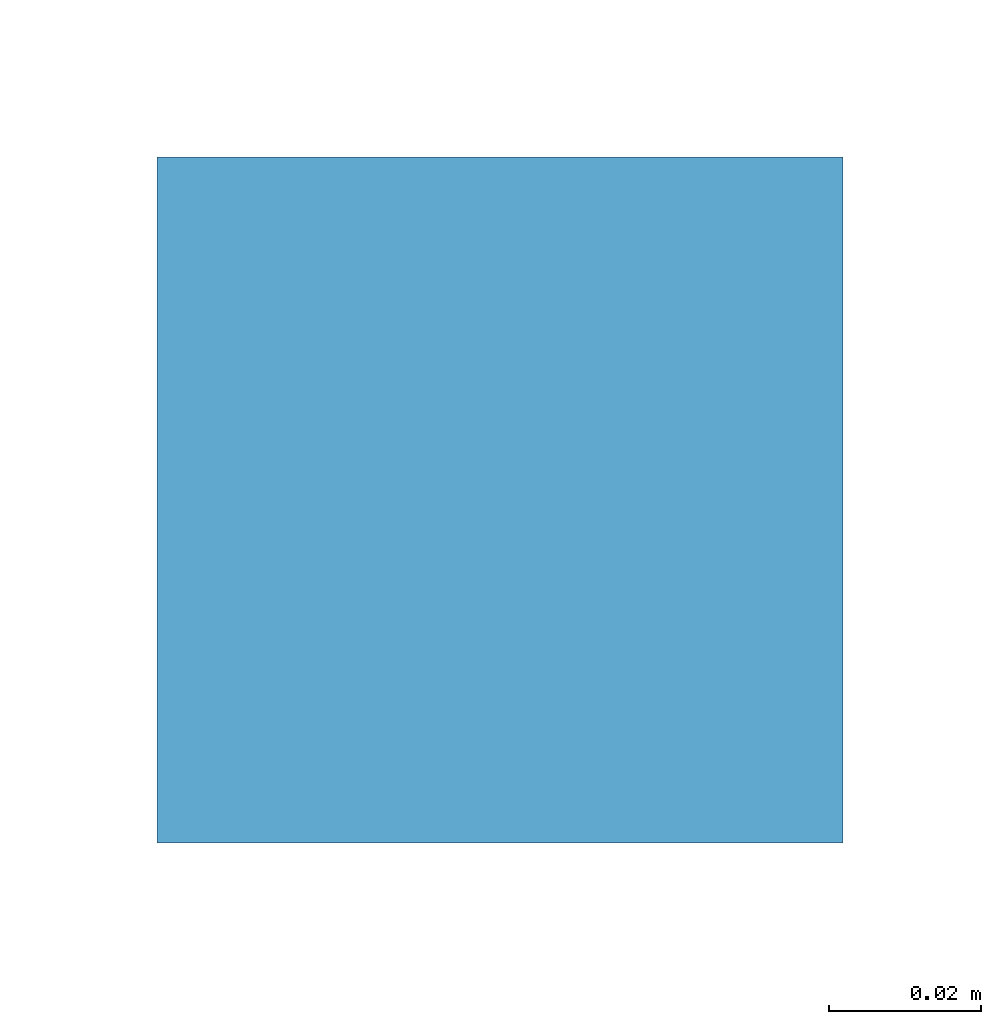
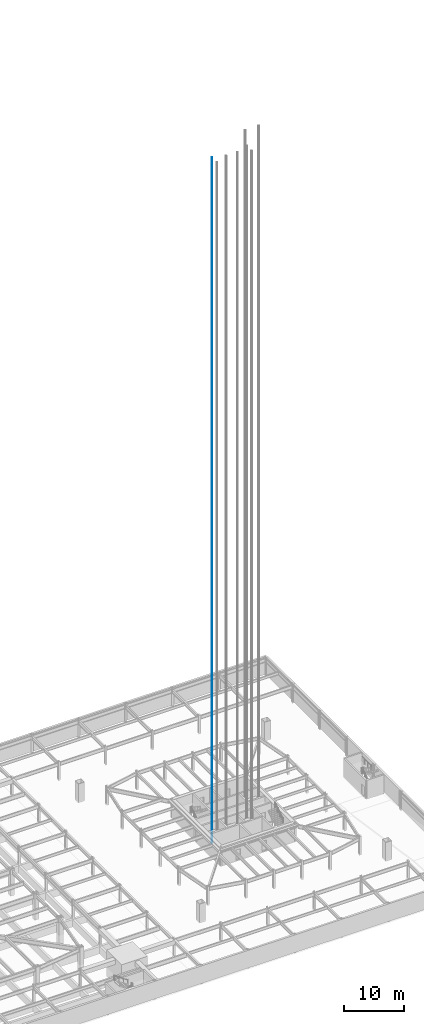
# One storey, part 26 of 35: 1 discrete accessory.
"""IFC4 building model written with IfcOpenShell, lengths in metres."""

from ifc_helpers import new_model, si_unit, direction, frame, origin, origin_2d, place, context, subcontext, project, spatial, rectangle, extrude, material, element, save


model = new_model("IFC4")

# Units and contexts
model_context = context("Model", 3, precision=1e-05, world=origin(), true_north=direction((0.0, 1.0)))
body_context = subcontext(model_context, "Body", "Model", "MODEL_VIEW")
ifc_project = project(units=[si_unit("LENGTHUNIT", "METRE"), si_unit("AREAUNIT", "SQUARE_METRE"), si_unit("VOLUMEUNIT", "CUBIC_METRE"), si_unit("PLANEANGLEUNIT", "RADIAN"), si_unit("MASSUNIT", "GRAM", prefix="KILO")], contexts=[model_context])

# Site, building, storey
site_placement = place(None, origin())
site = spatial("IfcSite", under=ifc_project, at=site_placement, CompositionType="ELEMENT")
building_placement = place(site_placement, origin())
building = spatial("IfcBuilding", under=site, at=building_placement, Name="Iwan Alto Co-Living Towers", CompositionType="ELEMENT")
storey_placement = place(building_placement, frame((0.0, 0.0, -7.199951171875)))
storey = spatial("IfcBuildingStorey", under=building, at=storey_placement, Name="B2", CompositionType="ELEMENT", Elevation=-7.199951171875)

# Discrete accessory
ifc_material = material(Name="Steel ASTM A36", Category="steel")
placement = place(storey_placement, frame((57.966552734375, -2.449951171875, 0.0), z_axis=(0.0, 0.0, 1.0), x_axis=(1.0, 0.0, 0.0)))
discrete_accessory_placement = place(placement, origin())
element("IfcDiscreteAccessory", 1, at=discrete_accessory_placement, inside=storey, material=ifc_material, Name="Lift P5-1 guide rail 2", ObjectType="Lift guide rail", PredefinedType="USERDEFINED", context=body_context, shape_type="SweptSolid", body=[
    extrude(rectangle(XDim=0.09, YDim=0.09, at=origin_2d()), frame((0.0, 0.85009765625, -0.199951171875)), (0.0, 0.0, 1.0), 139.300048828125),
])

save(model, "model.ifc")
